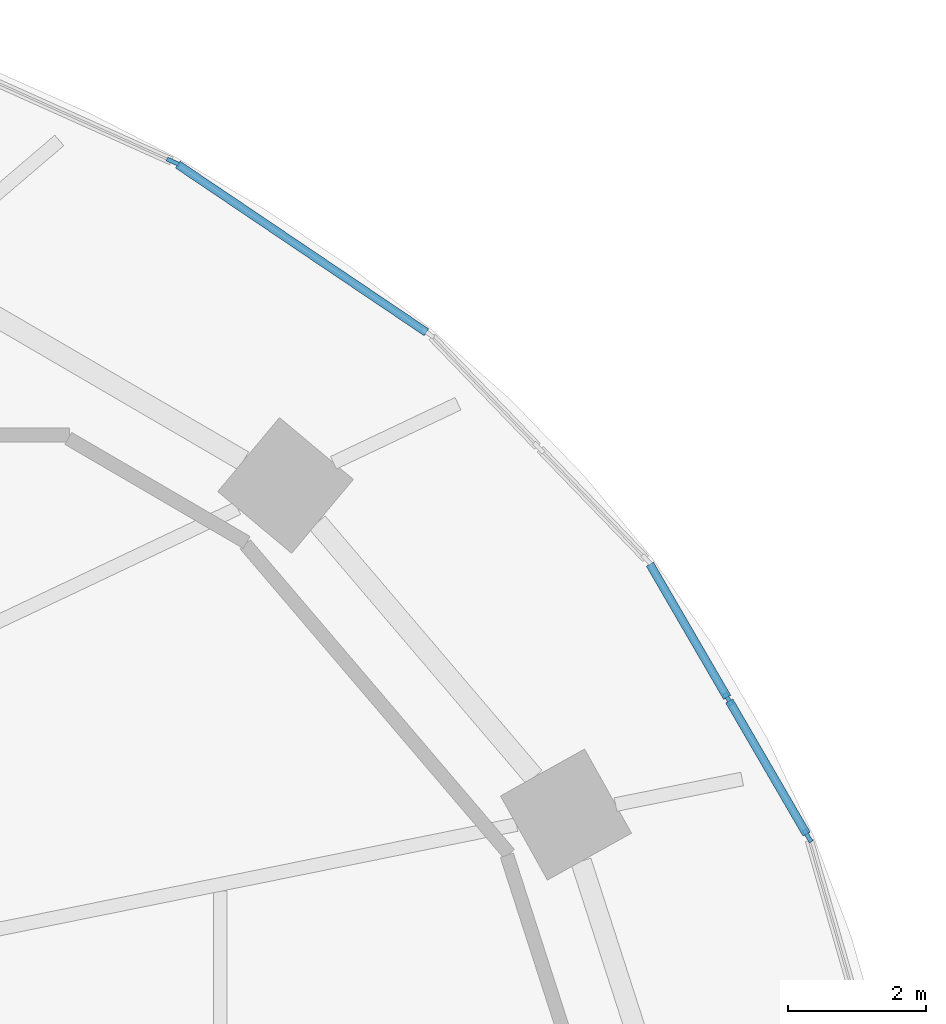
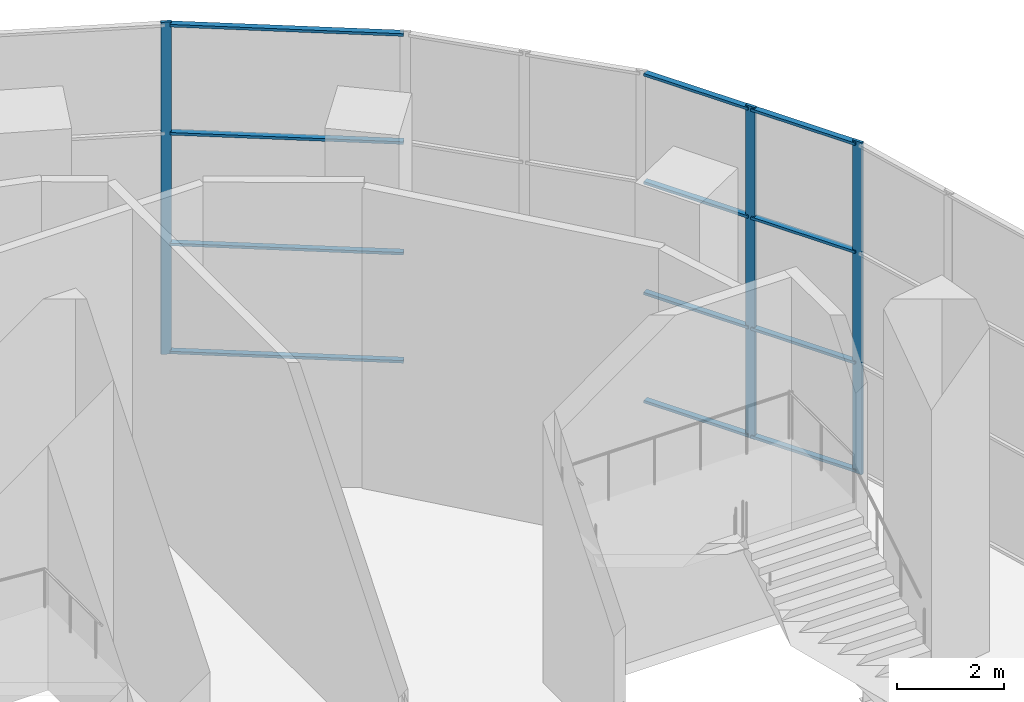
# One storey, part 9 of 22: 15 members, 3 elements without a shape of their own.
"""IFC4 building model written with IfcOpenShell, lengths in metres."""

import ifcopenshell
import ifcopenshell.guid

model = None  # the IFC model being written
_history = None  # IfcOwnerHistory: only IFC2X3 demands one
_inside = {}  # id of a spatial element -> (the spatial element, [elements in it])
_under = {}  # id of a project, library or spatial element -> (it, [spatial elements below it])
_declared = {}  # id of a project -> (the project, [libraries it declares])
_typed = {}  # id of a type object -> (the type object, [elements of that type])
_made_of = {}  # id of a material, layer set ... -> (it, [elements and type objects made of it])


def new_model(schema):
    """Start an empty IFC model of exactly this schema.

    Asked for "IFC4X3", IfcOpenShell would pick the latest addendum, in which some entities
    have other attributes; the version numbers below select the first issue.
    IFC2X3 requires an IfcOwnerHistory on every rooted entity: one is made here for all.
    """
    global model, _history
    if schema == "IFC4X3":
        model = ifcopenshell.file(schema_version=(4, 3, 0, 0))
    else:
        model = ifcopenshell.file(schema=schema)
    _inside.clear()
    _under.clear()
    _declared.clear()
    _typed.clear()
    _made_of.clear()
    _history = None
    if model.schema == "IFC2X3":
        org = make("IfcOrganization", Name="unknown")
        user = make(
            "IfcPersonAndOrganization",
            ThePerson=make("IfcPerson", FamilyName="unknown"),
            TheOrganization=org,
        )
        app = make(
            "IfcApplication",
            ApplicationDeveloper=org,
            Version="unknown",
            ApplicationFullName="unknown",
            ApplicationIdentifier="unknown",
        )
        _history = make(
            "IfcOwnerHistory",
            OwningUser=user,
            OwningApplication=app,
            ChangeAction="ADDED",
            CreationDate=0,
        )
    return model


def make(cls, **values):
    """One entity of the class cls with the attributes given. An attribute that is None is left unset."""
    return model.create_entity(
        cls, **{name: value for name, value in values.items() if value is not None}
    )


def rooted(cls, **values):
    """An entity with a GlobalId (a new one), such as an element, a storey or a relation."""
    return make(cls, GlobalId=ifcopenshell.guid.new(), OwnerHistory=_history, **values)


def si_unit(unit_type, name, prefix=None):
    """IfcSIUnit, for example si_unit("LENGTHUNIT", "METRE", prefix="MILLI")."""
    return make("IfcSIUnit", UnitType=unit_type, Prefix=prefix, Name=name)


def assignment(units):
    """IfcUnitAssignment: the units of a project."""
    return None if units is None else make("IfcUnitAssignment", Units=units)


def point(xyz):
    """IfcCartesianPoint."""
    return None if xyz is None else make("IfcCartesianPoint", Coordinates=xyz)


def direction(xyz):
    """IfcDirection."""
    return None if xyz is None else make("IfcDirection", DirectionRatios=xyz)


def frame(location, z_axis=None, x_axis=None):
    """IfcAxis2Placement3D, a coordinate frame: its origin and axes. An axis left out is left unset."""
    return make(
        "IfcAxis2Placement3D",
        Location=point(location),
        Axis=direction(z_axis),
        RefDirection=direction(x_axis),
    )


def frame_2d(location, x_axis=None):
    """IfcAxis2Placement2D, a coordinate frame in the plane: its origin and x axis."""
    return make(
        "IfcAxis2Placement2D", Location=point(location), RefDirection=direction(x_axis)
    )


def origin():
    """The frame at (0, 0, 0) with its axes left unset."""
    return frame((0.0, 0.0, 0.0))


def origin_2d():
    """The frame at (0, 0) in the plane with its x axis left unset."""
    return frame_2d((0.0, 0.0))


def place(relative_to, where):
    """IfcLocalPlacement: puts the frame where relative to a parent placement (None: the world)."""
    return make(
        "IfcLocalPlacement", PlacementRelTo=relative_to, RelativePlacement=where
    )


def context(
    kind, dimensions, precision=None, world=None, true_north=None, identifier=None
):
    """IfcGeometricRepresentationContext, for example the 3D "Model" context."""
    return make(
        "IfcGeometricRepresentationContext",
        ContextIdentifier=identifier,
        ContextType=kind,
        CoordinateSpaceDimension=dimensions,
        Precision=precision,
        WorldCoordinateSystem=world,
        TrueNorth=true_north,
    )


def subcontext(parent, identifier, kind, view, scale=None):
    """IfcGeometricRepresentationSubContext, for example "Body" below "Model"."""
    return make(
        "IfcGeometricRepresentationSubContext",
        ContextIdentifier=identifier,
        ContextType=kind,
        ParentContext=parent,
        TargetScale=scale,
        TargetView=view,
    )


def project(units=None, contexts=None):
    """IfcProject with its units and contexts."""
    return rooted(
        "IfcProject",
        Name="project",
        RepresentationContexts=contexts,
        UnitsInContext=assignment(units),
    )


def spatial(cls, under=None, at=None, **own):
    """A site, building, storey or space (cls), placed at a placement, below another one or the project."""
    s = rooted(cls, ObjectPlacement=at, **own)
    if under is not None:
        _under.setdefault(under.id(), (under, []))[1].append(s)
    return s


def profile(cls, at=None, kind="AREA", **sizes):
    """A parametric profile (cls). Its sizes go by their IFC names, for example OverallWidth=200.0."""
    return make(cls, ProfileType=kind, Position=at, **sizes)


def rectangle(**sizes):
    """IfcRectangleProfileDef."""
    return profile("IfcRectangleProfileDef", **sizes)


def extrude(swept, where, along, depth):
    """IfcExtrudedAreaSolid: the profile swept, set in the frame where, extruded along a direction by depth."""
    return make(
        "IfcExtrudedAreaSolid",
        SweptArea=swept,
        Position=where,
        ExtrudedDirection=direction(along),
        Depth=depth,
    )


def shape(context_of_items, identifier, shape_type, items):
    """IfcShapeRepresentation: the items that make up one representation, for example the "Body"."""
    return make(
        "IfcShapeRepresentation",
        ContextOfItems=context_of_items,
        RepresentationIdentifier=identifier,
        RepresentationType=shape_type,
        Items=items,
    )


def material(Name=None, Category=None):
    """IfcMaterial."""
    return make("IfcMaterial", Name=Name, Category=Category)


def material_profile(
    of_material, cross_section, Name=None, Category=None, Priority=None
):
    """IfcMaterialProfile: a cross section and its material."""
    return make(
        "IfcMaterialProfile",
        Name=Name,
        Material=of_material,
        Profile=cross_section,
        Priority=Priority,
        Category=Category,
    )


def profile_set(profiles, Name=None, composite=None):
    """IfcMaterialProfileSet."""
    return make(
        "IfcMaterialProfileSet",
        Name=Name,
        MaterialProfiles=profiles,
        CompositeProfile=composite,
    )


def made_of(thing, what):
    """Note that an element or type object is made of a material, layer set ...; save() writes the relation."""
    if what is not None:
        _made_of.setdefault(what.id(), (what, []))[1].append(thing)
    return thing


def type_object(cls, material=None, **own):
    """A type object (cls), such as IfcWallType, which elements share."""
    return made_of(rooted(cls, **own), material)


def element(
    cls,
    number,
    at=None,
    inside=None,
    cuts=None,
    type_object=None,
    material=None,
    context=None,
    identifier="Body",
    shape_type=None,
    held_by="IfcProductDefinitionShape",
    body=None,
    shapes=None,
    **own,
):
    """One element of the class cls, such as IfcWall. Its Tag is "e" and its number.

    at: its placement. inside: the storey or other place that contains it. cuts: it is an
    opening in that element (IfcRelVoidsElement). A single representation is given by context,
    identifier, shape_type and body (its items); several are given by shapes. held_by: the class
    of the entity that holds the representations. save() writes the other relations.
    """
    e = rooted(cls, Tag="e%d" % number, ObjectPlacement=at, **own)
    if body is not None:
        shapes = [shape(context, identifier, shape_type, body)]
    if shapes is not None:
        e.Representation = make(held_by, Representations=shapes)
    if inside is not None:
        _inside.setdefault(inside.id(), (inside, []))[1].append(e)
    if cuts is not None:
        rooted(
            "IfcRelVoidsElement", RelatingBuildingElement=cuts, RelatedOpeningElement=e
        )
    if type_object is not None:
        _typed.setdefault(type_object.id(), (type_object, []))[1].append(e)
    return made_of(e, material)


def aggregate(whole, parts):
    """IfcRelAggregates: a whole, such as a stair, and the parts it consists of."""
    return rooted("IfcRelAggregates", RelatingObject=whole, RelatedObjects=parts)


def save(model, path):
    """Write the relations noted so far, then the file.

    IfcRelAggregates (storeys below a building ...), IfcRelContainedInSpatialStructure (elements
    in a storey), IfcRelDefinesByType, IfcRelAssociatesMaterial and IfcRelDeclares: one each for
    every whole, place, type object, material and project.
    """
    for whole, parts in _under.values():
        aggregate(whole, parts)
    for where, things in _inside.values():
        rooted(
            "IfcRelContainedInSpatialStructure",
            RelatedElements=things,
            RelatingStructure=where,
        )
    for kind, things in _typed.values():
        rooted("IfcRelDefinesByType", RelatedObjects=things, RelatingType=kind)
    for what, things in _made_of.values():
        rooted("IfcRelAssociatesMaterial", RelatedObjects=things, RelatingMaterial=what)
    for by, libraries in _declared.values():
        rooted("IfcRelDeclares", RelatingContext=by, RelatedDefinitions=libraries)
    model.write(path)


model = new_model("IFC4")

# Units and contexts
model_context = context("Model", 3, precision=1e-05, world=origin(), true_north=direction((0.0, 1.0)))
body_context = subcontext(model_context, "Body", "Model", "MODEL_VIEW")
ifc_project = project(units=[si_unit("LENGTHUNIT", "METRE"), si_unit("AREAUNIT", "SQUARE_METRE"), si_unit("VOLUMEUNIT", "CUBIC_METRE"), si_unit("PLANEANGLEUNIT", "RADIAN"), si_unit("MASSUNIT", "GRAM", prefix="KILO")], contexts=[model_context])

# Site, building, storey
site_placement = place(None, origin())
site = spatial("IfcSite", under=ifc_project, at=site_placement, CompositionType="ELEMENT")
building_placement = place(site_placement, origin())
building = spatial("IfcBuilding", under=site, at=building_placement, Name="Rubra Terraces Tower", CompositionType="ELEMENT")
storey_placement = place(building_placement, frame((0.0, 0.0, 7.199951171875)))
storey = spatial("IfcBuildingStorey", under=building, at=storey_placement, Name="L01", CompositionType="ELEMENT", Elevation=7.199951171875)

# Curtain wall, members
ifc_material_1 = material(Name="Aluminium and glass", Category="aluminium")
curtain_wall_type = type_object("IfcCurtainWallType", Name="Curtain wall Podium glazing", PredefinedType="NOTDEFINED", material=ifc_material_1)
curtain_wall_1_placement = place(storey_placement, origin())
curtain_wall_1 = element("IfcCurtainWall", 1, at=curtain_wall_1_placement, inside=storey, type_object=curtain_wall_type, Name="L01 glazing bay 3", PredefinedType="NOTDEFINED")
ifc_material_2 = material(Name="Aluminium, anodised dark grey", Category="aluminium")
ifc_material_profile_1 = material_profile(ifc_material_2, rectangle(XDim=0.06005859375, YDim=0.199951171875, at=origin_2d()), Name="AL 60x200")
ifc_profile_set_1 = profile_set([ifc_material_profile_1], Name="Aluminium, anodised dark grey")
member_type_1 = type_object("IfcMemberType", Name="Podium glazing mullion 60 x 200", PredefinedType="MULLION", material=ifc_profile_set_1)
member_1_placement = place(storey_placement, frame((28.18798828125, 9.17333984375, 0.0), z_axis=(0.0, 0.0, 1.0), x_axis=(-0.864813011398, -0.502094070187, 0.0)))
member_1 = element("IfcMember", 2, at=member_1_placement, type_object=member_type_1, Name="CW1 mullion 1", PredefinedType="MULLION", context=body_context, shape_type="SweptSolid", body=[
    extrude(rectangle(XDim=0.06005859375, YDim=0.199951171875, at=origin_2d()), origin(), (0.0, 0.0, 1.0), 7.550048828125),
])
member_2_placement = place(storey_placement, frame((27.0341796875, 11.160888671875, 0.0), z_axis=(0.0, 0.0, 1.0), x_axis=(-0.864813011398, -0.502094070187, 0.0)))
member_2 = element("IfcMember", 3, at=member_2_placement, type_object=member_type_1, Name="CW1 mullion 2", PredefinedType="MULLION", context=body_context, shape_type="SweptSolid", body=[
    extrude(rectangle(XDim=0.06005859375, YDim=0.199951171875, at=origin_2d()), origin(), (0.0, 0.0, 1.0), 7.550048828125),
])

# Curtain wall, member
curtain_wall_2_placement = place(storey_placement, origin())
curtain_wall_2 = element("IfcCurtainWall", 4, at=curtain_wall_2_placement, inside=storey, type_object=curtain_wall_type, Name="L01 glazing bay 6", PredefinedType="NOTDEFINED")
member_3_placement = place(storey_placement, frame((18.968017578125, 18.969970703125, 0.0), z_axis=(0.0, 0.0, 1.0), x_axis=(-0.4089624427, -0.912551215254, 0.0)))
member_3 = element("IfcMember", 5, at=member_3_placement, type_object=member_type_1, Name="CW1 mullion 1", PredefinedType="MULLION", context=body_context, shape_type="SweptSolid", body=[
    extrude(rectangle(XDim=0.06005859375, YDim=0.199951171875, at=origin_2d()), origin(), (0.0, 0.0, 1.0), 7.550048828125),
])
aggregate(curtain_wall_2, [member_3])

# Member
ifc_material_profile_2 = material_profile(ifc_material_2, rectangle(XDim=0.1201171875, YDim=0.06005859375, at=origin_2d()), Name="AL 120x60")
ifc_profile_set_2 = profile_set([ifc_material_profile_2], Name="Aluminium, anodised dark grey")
member_type_2 = type_object("IfcMemberType", Name="Podium glazing transom 120 x 60", PredefinedType="USERDEFINED", material=ifc_profile_set_2)
member_4_placement = place(storey_placement, frame((28.173095703125, 9.19921875, 0.06005859375), z_axis=(-0.5021881448, 0.864758386616, 0.0), x_axis=(-0.864758386616, -0.5021881448, 0.0)))
member_4 = element("IfcMember", 6, at=member_4_placement, type_object=member_type_2, Name="CW1 transom 1.1", ObjectType="TRANSOM", PredefinedType="USERDEFINED", context=body_context, shape_type="SweptSolid", body=[
    extrude(rectangle(XDim=0.1201171875, YDim=0.06005859375, at=origin_2d()), origin(), (0.0, 0.0, 1.0), 2.23828125),
])

member_5_placement = place(storey_placement, frame((28.173095703125, 9.19921875, 2.516845703125), z_axis=(-0.5021881448, 0.864758386616, 0.0), x_axis=(-0.864758386616, -0.5021881448, 0.0)))
member_5 = element("IfcMember", 7, at=member_5_placement, type_object=member_type_2, Name="CW1 transom 1.2", ObjectType="TRANSOM", PredefinedType="USERDEFINED", context=body_context, shape_type="SweptSolid", body=[
    extrude(rectangle(XDim=0.1201171875, YDim=0.06005859375, at=origin_2d()), origin(), (0.0, 0.0, 1.0), 2.23828125),
])

member_6_placement = place(storey_placement, frame((28.173095703125, 9.19921875, 5.033447265625), z_axis=(-0.5021881448, 0.864758386616, 0.0), x_axis=(-0.864758386616, -0.5021881448, 0.0)))
member_6 = element("IfcMember", 8, at=member_6_placement, type_object=member_type_2, Name="CW1 transom 1.3", ObjectType="TRANSOM", PredefinedType="USERDEFINED", context=body_context, shape_type="SweptSolid", body=[
    extrude(rectangle(XDim=0.1201171875, YDim=0.06005859375, at=origin_2d()), origin(), (0.0, 0.0, 1.0), 2.23828125),
])

member_7_placement = place(storey_placement, frame((28.173095703125, 9.19921875, 7.489990234375), z_axis=(-0.5021881448, 0.864758386616, 0.0), x_axis=(-0.864758386616, -0.5021881448, 0.0)))
member_7 = element("IfcMember", 9, at=member_7_placement, type_object=member_type_2, Name="CW1 transom 1.4", ObjectType="TRANSOM", PredefinedType="USERDEFINED", context=body_context, shape_type="SweptSolid", body=[
    extrude(rectangle(XDim=0.1201171875, YDim=0.06005859375, at=origin_2d()), origin(), (0.0, 0.0, 1.0), 2.23828125),
])

member_8_placement = place(storey_placement, frame((27.01904296875, 11.186767578125, 0.06005859375), z_axis=(-0.502106569931, 0.864805754162, 0.0), x_axis=(-0.864805754162, -0.502106569931, 0.0)))
member_8 = element("IfcMember", 10, at=member_8_placement, type_object=member_type_2, Name="CW1 transom 2.1", ObjectType="TRANSOM", PredefinedType="USERDEFINED", context=body_context, shape_type="SweptSolid", body=[
    extrude(rectangle(XDim=0.1201171875, YDim=0.06005859375, at=origin_2d()), origin(), (0.0, 0.0, 1.0), 2.238037109375),
])

member_9_placement = place(storey_placement, frame((27.01904296875, 11.186767578125, 2.516845703125), z_axis=(-0.502106569931, 0.864805754162, 0.0), x_axis=(-0.864805754162, -0.502106569931, 0.0)))
member_9 = element("IfcMember", 11, at=member_9_placement, type_object=member_type_2, Name="CW1 transom 2.2", ObjectType="TRANSOM", PredefinedType="USERDEFINED", context=body_context, shape_type="SweptSolid", body=[
    extrude(rectangle(XDim=0.1201171875, YDim=0.06005859375, at=origin_2d()), origin(), (0.0, 0.0, 1.0), 2.238037109375),
])

member_10_placement = place(storey_placement, frame((27.01904296875, 11.186767578125, 5.033447265625), z_axis=(-0.502106569931, 0.864805754162, 0.0), x_axis=(-0.864805754162, -0.502106569931, 0.0)))
member_10 = element("IfcMember", 12, at=member_10_placement, type_object=member_type_2, Name="CW1 transom 2.3", ObjectType="TRANSOM", PredefinedType="USERDEFINED", context=body_context, shape_type="SweptSolid", body=[
    extrude(rectangle(XDim=0.1201171875, YDim=0.06005859375, at=origin_2d()), origin(), (0.0, 0.0, 1.0), 2.238037109375),
])

member_11_placement = place(storey_placement, frame((27.01904296875, 11.186767578125, 7.489990234375), z_axis=(-0.502106569931, 0.864805754162, 0.0), x_axis=(-0.864805754162, -0.502106569931, 0.0)))
member_11 = element("IfcMember", 13, at=member_11_placement, type_object=member_type_2, Name="CW1 transom 2.4", ObjectType="TRANSOM", PredefinedType="USERDEFINED", context=body_context, shape_type="SweptSolid", body=[
    extrude(rectangle(XDim=0.1201171875, YDim=0.06005859375, at=origin_2d()), origin(), (0.0, 0.0, 1.0), 2.238037109375),
])

aggregate(curtain_wall_1, [member_1, member_2, member_4, member_5, member_6, member_7, member_8, member_9, member_10, member_11])

# Curtain wall, members
curtain_wall_3_placement = place(storey_placement, origin())
curtain_wall_3 = element("IfcCurtainWall", 14, at=curtain_wall_3_placement, inside=storey, type_object=curtain_wall_type, Name="L01 glazing bay 5", PredefinedType="NOTDEFINED")
member_12_placement = place(storey_placement, frame((22.6474609375, 16.492431640625, 0.06005859375), z_axis=(-0.828996039897, 0.559254473236, 0.0), x_axis=(-0.559254473236, -0.828996039897, 0.0)))
member_12 = element("IfcMember", 15, at=member_12_placement, type_object=member_type_2, Name="CW1 transom 1.1", ObjectType="TRANSOM", PredefinedType="USERDEFINED", context=body_context, shape_type="SweptSolid", body=[
    extrude(rectangle(XDim=0.1201171875, YDim=0.06005859375, at=origin_2d()), origin(), (0.0, 0.0, 1.0), 4.35888671875),
])
member_13_placement = place(storey_placement, frame((22.6474609375, 16.492431640625, 2.516845703125), z_axis=(-0.828996039897, 0.559254473236, 0.0), x_axis=(-0.559254473236, -0.828996039897, 0.0)))
member_13 = element("IfcMember", 16, at=member_13_placement, type_object=member_type_2, Name="CW1 transom 1.2", ObjectType="TRANSOM", PredefinedType="USERDEFINED", context=body_context, shape_type="SweptSolid", body=[
    extrude(rectangle(XDim=0.1201171875, YDim=0.06005859375, at=origin_2d()), origin(), (0.0, 0.0, 1.0), 4.35888671875),
])
member_14_placement = place(storey_placement, frame((22.6474609375, 16.492431640625, 5.033447265625), z_axis=(-0.828996039897, 0.559254473236, 0.0), x_axis=(-0.559254473236, -0.828996039897, 0.0)))
member_14 = element("IfcMember", 17, at=member_14_placement, type_object=member_type_2, Name="CW1 transom 1.3", ObjectType="TRANSOM", PredefinedType="USERDEFINED", context=body_context, shape_type="SweptSolid", body=[
    extrude(rectangle(XDim=0.1201171875, YDim=0.06005859375, at=origin_2d()), origin(), (0.0, 0.0, 1.0), 4.35888671875),
])
member_15_placement = place(storey_placement, frame((22.6474609375, 16.492431640625, 7.489990234375), z_axis=(-0.828996039897, 0.559254473236, 0.0), x_axis=(-0.559254473236, -0.828996039897, 0.0)))
member_15 = element("IfcMember", 18, at=member_15_placement, type_object=member_type_2, Name="CW1 transom 1.4", ObjectType="TRANSOM", PredefinedType="USERDEFINED", context=body_context, shape_type="SweptSolid", body=[
    extrude(rectangle(XDim=0.1201171875, YDim=0.06005859375, at=origin_2d()), origin(), (0.0, 0.0, 1.0), 4.35888671875),
])
aggregate(curtain_wall_3, [member_12, member_13, member_14, member_15])

save(model, "model.ifc")
